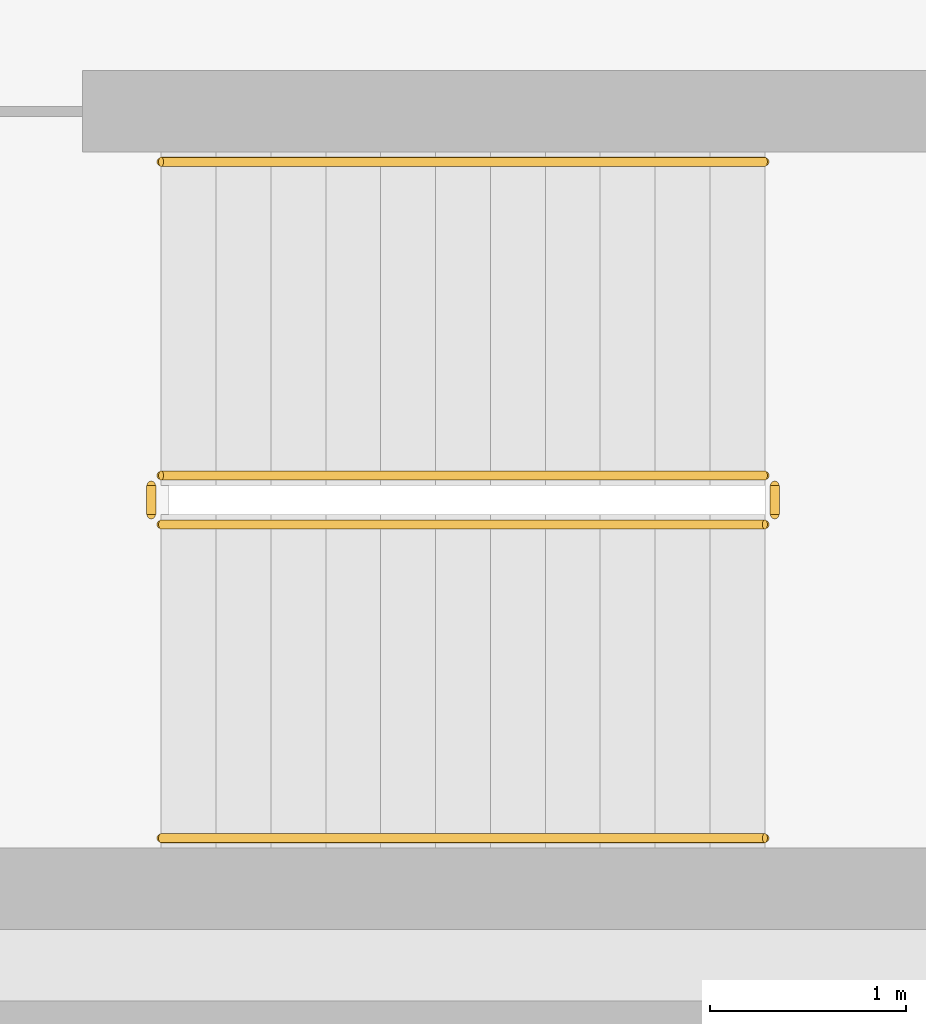
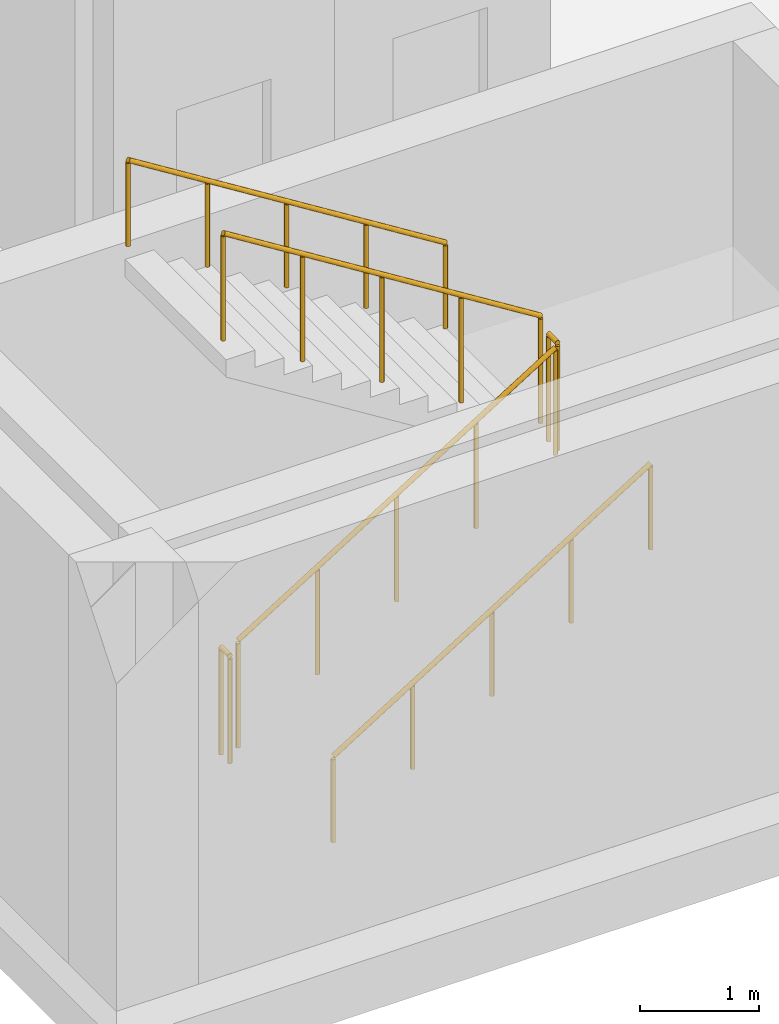
# One storey, part 27 of 31: 6 railings.
"""IFC4 building model written with IfcOpenShell, lengths in metres."""

from ifc_helpers import new_model, si_unit, direction, frame, origin, origin_2d, place, context, subcontext, project, spatial, circle, extrude, material, type_object, element, save


model = new_model("IFC4")

# Units and contexts
model_context = context("Model", 3, precision=1e-05, world=origin(), true_north=direction((0.0, 1.0)))
body_context = subcontext(model_context, "Body", "Model", "MODEL_VIEW")
ifc_project = project(units=[si_unit("LENGTHUNIT", "METRE"), si_unit("AREAUNIT", "SQUARE_METRE"), si_unit("VOLUMEUNIT", "CUBIC_METRE"), si_unit("PLANEANGLEUNIT", "RADIAN"), si_unit("MASSUNIT", "GRAM", prefix="KILO")], contexts=[model_context])

# Site, building, storey
site_placement = place(None, origin())
site = spatial("IfcSite", under=ifc_project, at=site_placement, CompositionType="ELEMENT")
building_placement = place(site_placement, origin())
building = spatial("IfcBuilding", under=site, at=building_placement, Name="Qalavern Law Courts", CompositionType="ELEMENT")
storey_placement = place(building_placement, frame((0.0, 0.0, -4.199951171875)))
storey = spatial("IfcBuildingStorey", under=building, at=storey_placement, Name="B1", CompositionType="ELEMENT", Elevation=-4.199951171875)

# Railings
ifc_material = material(Name="Steel S355", Category="steel")
railing_type_1 = type_object("IfcRailingType", Name="INT-GUARD-1120", PredefinedType="BALUSTRADE", material=ifc_material)
railing_1_placement = place(storey_placement, frame((4.699951171875, 43.64990234375, 0.175048828125)))
element("IfcRailing", 1, at=railing_1_placement, inside=storey, type_object=railing_type_1, Name="B1 ST-K2 stair guard 1", PredefinedType="BALUSTRADE", context=body_context, shape_type="SweptSolid", body=[
    extrude(circle(Radius=0.02392578125, at=origin_2d()), frame((0.0, 0.0, 1.09619140625), z_axis=(0.848028513186, 0.0, 0.529950602248), x_axis=(0.0, 1.0, 0.0)), (0.0, 0.0, 1.0), 3.632080078125),
    extrude(circle(Radius=0.02099609375, at=origin_2d()), origin(), (0.0, 0.0, 1.0), 1.072021484375),
    extrude(circle(Radius=0.02099609375, at=origin_2d()), frame((0.77001953125, 0.0, 0.481201171875)), (0.0, 0.0, 1.0), 1.072021484375),
    extrude(circle(Radius=0.02099609375, at=origin_2d()), frame((1.5400390625, 0.0, 0.96240234375)), (0.0, 0.0, 1.0), 1.072021484375),
    extrude(circle(Radius=0.02099609375, at=origin_2d()), frame((2.31005859375, 0.0, 1.443603515625)), (0.0, 0.0, 1.0), 1.072021484375),
    extrude(circle(Radius=0.02099609375, at=origin_2d()), frame((3.080078125, 0.0, 1.9248046875)), (0.0, 0.0, 1.0), 1.072021484375),
])
railing_2_placement = place(storey_placement, frame((7.830078125, 43.699951171875, 2.099853515625)))
element("IfcRailing", 2, at=railing_2_placement, inside=storey, type_object=railing_type_1, Name="B1 ST-K2 stair guard 2", PredefinedType="BALUSTRADE", context=body_context, shape_type="SweptSolid", body=[
    extrude(circle(Radius=0.02392578125, at=origin_2d()), frame((0.0, 0.0, 1.09619140625), z_axis=(0.0, 1.0, 0.0), x_axis=(-1.0, 0.0, 0.0)), (0.0, 0.0, 1.0), 0.150146484375),
    extrude(circle(Radius=0.02099609375, at=origin_2d()), origin(), (0.0, 0.0, 1.0), 1.072021484375),
    extrude(circle(Radius=0.02099609375, at=origin_2d()), frame((0.0, 0.150146484375, 0.0)), (0.0, 0.0, 1.0), 1.072021484375),
])
railing_3_placement = place(storey_placement, frame((7.780029296875, 43.89990234375, 2.27490234375)))
element("IfcRailing", 3, at=railing_3_placement, inside=storey, type_object=railing_type_1, Name="B1 ST-K2 stair guard 3", PredefinedType="BALUSTRADE", context=body_context, shape_type="SweptSolid", body=[
    extrude(circle(Radius=0.02392578125, at=origin_2d()), frame((0.0, 0.0, 1.09619140625), z_axis=(-0.847998304005, 0.0, 0.529998940003), x_axis=(0.0, -1.0, 0.0)), (0.0, 0.0, 1.0), 3.632080078125),
    extrude(circle(Radius=0.02099609375, at=origin_2d()), origin(), (0.0, 0.0, 1.0), 1.072021484375),
    extrude(circle(Radius=0.02099609375, at=origin_2d()), frame((-0.77001953125, 0.0, 0.481201171875)), (0.0, 0.0, 1.0), 1.072021484375),
    extrude(circle(Radius=0.02099609375, at=origin_2d()), frame((-1.5400390625, 0.0, 0.96240234375)), (0.0, 0.0, 1.0), 1.072021484375),
    extrude(circle(Radius=0.02099609375, at=origin_2d()), frame((-2.31005859375, 0.0, 1.44384765625)), (0.0, 0.0, 1.0), 1.072021484375),
    extrude(circle(Radius=0.02099609375, at=origin_2d()), frame((-3.080078125, 0.0, 1.925048828125)), (0.0, 0.0, 1.0), 1.072021484375),
])
railing_4_placement = place(storey_placement, frame((4.64990234375, 43.699951171875, 0.0)))
element("IfcRailing", 4, at=railing_4_placement, inside=storey, type_object=railing_type_1, Name="B1 ST-K2 stair guard 4", PredefinedType="BALUSTRADE", context=body_context, shape_type="SweptSolid", body=[
    extrude(circle(Radius=0.02392578125, at=origin_2d()), frame((0.0, 0.0, 1.09619140625), z_axis=(0.0, 1.0, 0.0), x_axis=(-1.0, 0.0, 0.0)), (0.0, 0.0, 1.0), 0.150146484375),
    extrude(circle(Radius=0.02099609375, at=origin_2d()), origin(), (0.0, 0.0, 1.0), 1.072021484375),
    extrude(circle(Radius=0.02099609375, at=origin_2d()), frame((0.0, 0.150146484375, 0.0)), (0.0, 0.0, 1.0), 1.072021484375),
])
railing_type_2 = type_object("IfcRailingType", Name="INT-HRAIL-920", PredefinedType="HANDRAIL", material=ifc_material)
railing_5_placement = place(storey_placement, frame((4.699951171875, 42.050048828125, 0.175048828125)))
element("IfcRailing", 5, at=railing_5_placement, inside=storey, type_object=railing_type_2, Name="B1 ST-K2 stair handrail 1", PredefinedType="HANDRAIL", context=body_context, shape_type="SweptSolid", body=[
    extrude(circle(Radius=0.02392578125, at=origin_2d()), frame((0.0, 0.0, 0.8759765625), z_axis=(0.848028513186, 0.0, 0.529950602248), x_axis=(0.0, 1.0, 0.0)), (0.0, 0.0, 1.0), 3.632080078125),
    extrude(circle(Radius=0.02099609375, at=origin_2d()), origin(), (0.0, 0.0, 1.0), 0.851806640625),
    extrude(circle(Radius=0.02099609375, at=origin_2d()), frame((0.77001953125, 0.0, 0.481201171875)), (0.0, 0.0, 1.0), 0.851806640625),
    extrude(circle(Radius=0.02099609375, at=origin_2d()), frame((1.5400390625, 0.0, 0.96240234375)), (0.0, 0.0, 1.0), 0.851806640625),
    extrude(circle(Radius=0.02099609375, at=origin_2d()), frame((2.31005859375, 0.0, 1.443603515625)), (0.0, 0.0, 1.0), 0.851806640625),
    extrude(circle(Radius=0.02099609375, at=origin_2d()), frame((3.080078125, 0.0, 1.9248046875)), (0.0, 0.0, 1.0), 0.851806640625),
])
railing_6_placement = place(storey_placement, frame((7.780029296875, 45.5, 2.27490234375)))
element("IfcRailing", 6, at=railing_6_placement, inside=storey, type_object=railing_type_2, Name="B1 ST-K2 stair handrail 2", PredefinedType="HANDRAIL", context=body_context, shape_type="SweptSolid", body=[
    extrude(circle(Radius=0.02392578125, at=origin_2d()), frame((0.0, 0.0, 0.8759765625), z_axis=(-0.847998304005, 0.0, 0.529998940003), x_axis=(0.0, -1.0, 0.0)), (0.0, 0.0, 1.0), 3.632080078125),
    extrude(circle(Radius=0.02099609375, at=origin_2d()), origin(), (0.0, 0.0, 1.0), 0.851806640625),
    extrude(circle(Radius=0.02099609375, at=origin_2d()), frame((-0.77001953125, 0.0, 0.481201171875)), (0.0, 0.0, 1.0), 0.851806640625),
    extrude(circle(Radius=0.02099609375, at=origin_2d()), frame((-1.5400390625, 0.0, 0.96240234375)), (0.0, 0.0, 1.0), 0.851806640625),
    extrude(circle(Radius=0.02099609375, at=origin_2d()), frame((-2.31005859375, 0.0, 1.44384765625)), (0.0, 0.0, 1.0), 0.851806640625),
    extrude(circle(Radius=0.02099609375, at=origin_2d()), frame((-3.080078125, 0.0, 1.925048828125)), (0.0, 0.0, 1.0), 0.851806640625),
])

save(model, "model.ifc")
